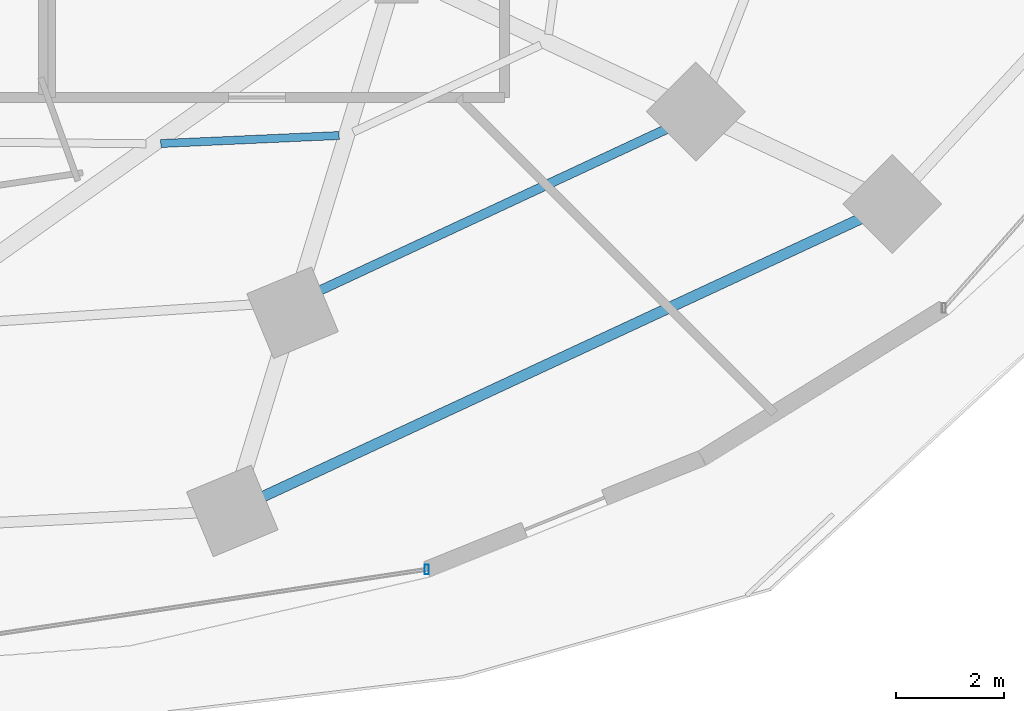
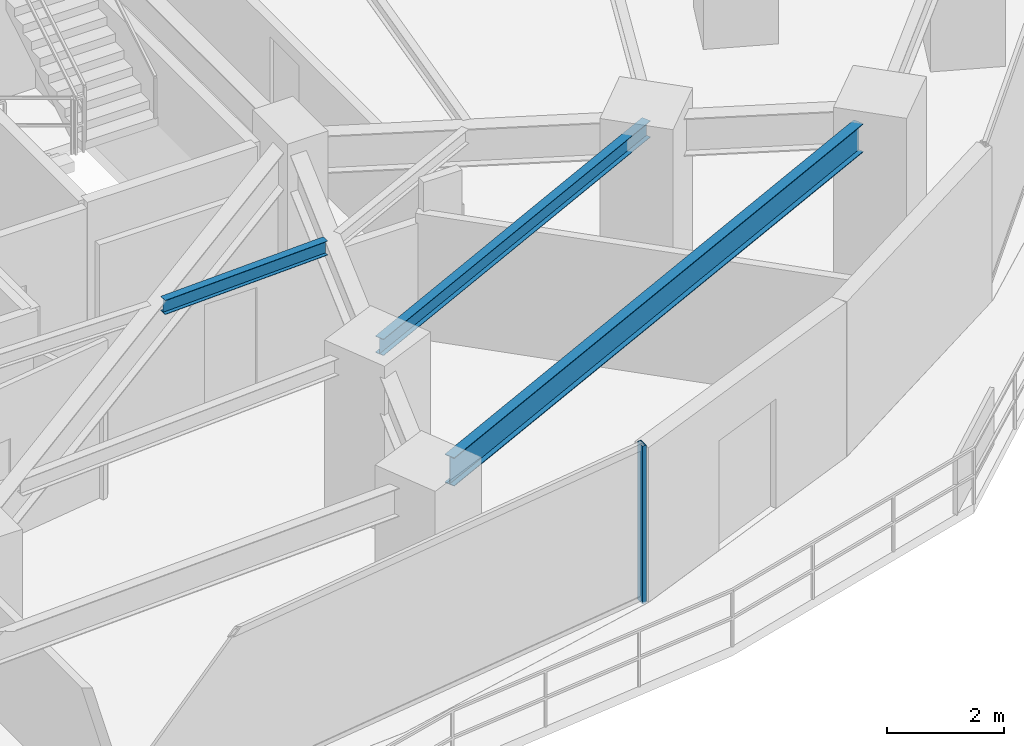
# One storey, part 12 of 36: 3 beams, 1 member, 1 element without a shape of its own.
"""IFC4 building model written with IfcOpenShell, lengths in metres."""

from ifc_helpers import new_model, si_unit, direction, frame, origin, origin_2d, place, context, subcontext, project, spatial, hollow_rectangle, i_section, extrude, material, material_profile, profile_set, type_object, element, aggregate, save


model = new_model("IFC4")

# Units and contexts
model_context = context("Model", 3, precision=1e-05, world=origin(), true_north=direction((0.0, 1.0)))
body_context = subcontext(model_context, "Body", "Model", "MODEL_VIEW")
ifc_project = project(units=[si_unit("LENGTHUNIT", "METRE"), si_unit("AREAUNIT", "SQUARE_METRE"), si_unit("VOLUMEUNIT", "CUBIC_METRE"), si_unit("PLANEANGLEUNIT", "RADIAN"), si_unit("MASSUNIT", "GRAM", prefix="KILO")], contexts=[model_context])

# Site, building, storey
site_placement = place(None, origin())
site = spatial("IfcSite", under=ifc_project, at=site_placement, CompositionType="ELEMENT")
building_placement = place(site_placement, origin())
building = spatial("IfcBuilding", under=site, at=building_placement, Name="Vorneva Point Tower", CompositionType="ELEMENT")
storey_placement = place(building_placement, frame((0.0, 0.0, 24.0)))
storey = spatial("IfcBuildingStorey", under=building, at=storey_placement, Name="L05", CompositionType="ELEMENT", Elevation=24.0)

# Beams
ifc_material_1 = material(Name="Steel S355", Category="steel")
ifc_material_profile_1 = material_profile(ifc_material_1, i_section(OverallWidth=0.14892578125, OverallDepth=0.298095703125, WebThickness=0.005615234375, FlangeThickness=0.008056640625, at=origin_2d()), Name="30B1")
ifc_profile_set_1 = profile_set([ifc_material_profile_1], Name="Steel S355")
beam_type_1 = type_object("IfcBeamType", Name="BM-JST-30B1", PredefinedType="JOIST", material=ifc_profile_set_1)
beam_1_placement = place(storey_placement, frame((44.376953125, 13.24609375, 3.091064453125), z_axis=(0.998991219532, 0.044905938345, 0.0), x_axis=(-0.044905938345, 0.998991219532, 0.0)))
element("IfcBeam", 1, at=beam_1_placement, inside=storey, type_object=beam_type_1, Name="L05 Secondary Floor Beam 2.13", PredefinedType="JOIST", context=body_context, shape_type="SweptSolid", body=[
    extrude(i_section(OverallWidth=0.14892578125, OverallDepth=0.298095703125, WebThickness=0.005615234375, FlangeThickness=0.008056640625, at=origin_2d()), origin(), (0.0, 0.0, 1.0), 3.31103515625),
])
ifc_material_profile_2 = material_profile(ifc_material_1, i_section(OverallWidth=0.174072265625, OverallDepth=0.345947265625, WebThickness=0.006103515625, FlangeThickness=0.009033203125, at=origin_2d()), Name="35B1")
ifc_profile_set_2 = profile_set([ifc_material_profile_2], Name="Steel S355")
beam_type_2 = type_object("IfcBeamType", Name="BM-SEC-35B1", PredefinedType="BEAM", material=ifc_profile_set_2)
beam_2_placement = place(storey_placement, frame((47.00830078125, 10.372314453125, 3.06689453125), z_axis=(0.906436807177, 0.422341466818, 0.0), x_axis=(-0.422341466818, 0.906436807177, 0.0)))
element("IfcBeam", 2, at=beam_2_placement, inside=storey, type_object=beam_type_2, Name="L05 Secondary Floor Beam 1.14", PredefinedType="BEAM", context=body_context, shape_type="SweptSolid", body=[
    extrude(i_section(OverallWidth=0.174072265625, OverallDepth=0.345947265625, WebThickness=0.006103515625, FlangeThickness=0.009033203125, at=origin_2d()), origin(), (0.0, 0.0, 1.0), 7.98583984375),
])
ifc_material_profile_3 = material_profile(ifc_material_1, i_section(OverallWidth=0.198974609375, OverallDepth=0.595947265625, WebThickness=0.010009765625, FlangeThickness=0.014892578125, at=origin_2d()), Name="60B1")
ifc_profile_set_3 = profile_set([ifc_material_profile_3], Name="Steel S355")
beam_type_3 = type_object("IfcBeamType", Name="BM-SPN-60B1", PredefinedType="SPANDREL", material=ifc_profile_set_3)
beam_3_placement = place(storey_placement, frame((46.27880859375, 6.702880859375, 2.94189453125), z_axis=(0.906776698196, 0.421611218551, 0.0), x_axis=(-0.421611218551, 0.906776698196, 0.0)))
element("IfcBeam", 3, at=beam_3_placement, inside=storey, type_object=beam_type_3, Name="L05 Perimeter Spandrel Ring Beam 14", PredefinedType="SPANDREL", context=body_context, shape_type="SweptSolid", body=[
    extrude(i_section(OverallWidth=0.198974609375, OverallDepth=0.595947265625, WebThickness=0.010009765625, FlangeThickness=0.014892578125, at=origin_2d()), origin(), (0.0, 0.0, 1.0), 12.223388671875),
])

# Curtain wall, member
ifc_material_2 = material(Name="Pale anodised aluminium", Category="aluminium")
curtain_wall_type = type_object("IfcCurtainWallType", Name="CW-HTL-SYS", PredefinedType="NOTDEFINED", material=ifc_material_2)
curtain_wall_placement = place(storey_placement, origin())
curtain_wall = element("IfcCurtainWall", 4, at=curtain_wall_placement, inside=storey, type_object=curtain_wall_type, Name="L05 Unitised Curtain Wall CW-L05-R05", PredefinedType="NOTDEFINED")
ifc_material_profile_4 = material_profile(ifc_material_2, hollow_rectangle(XDim=0.074951171875, YDim=0.179931640625, WallThickness=0.00390625, at=origin_2d()), Name="AL-MUL 180x75x4")
ifc_profile_set_4 = profile_set([ifc_material_profile_4], Name="Pale anodised aluminium")
member_type = type_object("IfcMemberType", Name="CW-MUL-180", PredefinedType="MULLION", material=ifc_profile_set_4)
member_placement = place(storey_placement, frame((49.308349609375, 5.351318359375, -0.0400390625), z_axis=(0.0, 0.0, 1.0), x_axis=(1.0, 0.0, 0.0)))
member = element("IfcMember", 5, at=member_placement, type_object=member_type, Name="CW-L05-R05 Mullion 02", PredefinedType="MULLION", context=body_context, shape_type="SweptSolid", body=[
    extrude(hollow_rectangle(XDim=0.074951171875, YDim=0.179931640625, WallThickness=0.00390625, at=origin_2d()), origin(), (0.0, 0.0, 1.0), 3.31005859375),
])
aggregate(curtain_wall, [member])

save(model, "model.ifc")
